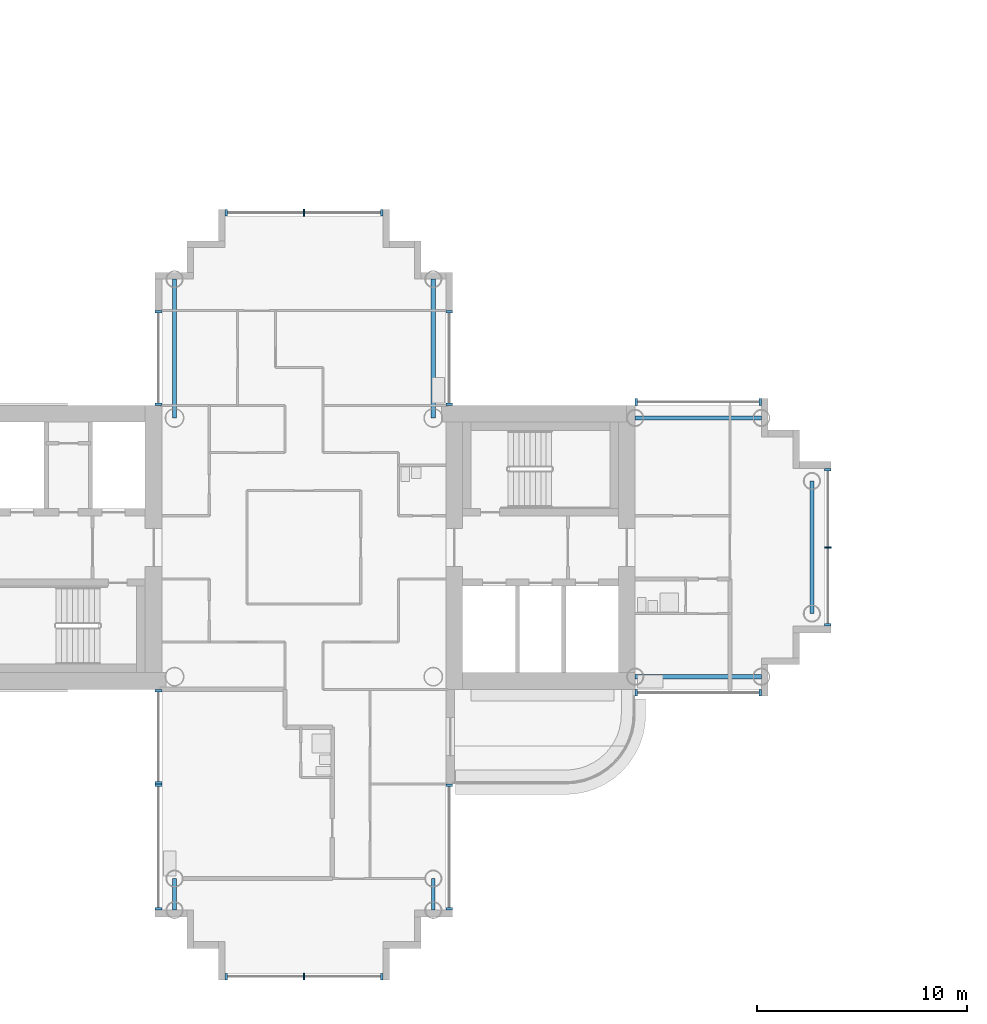
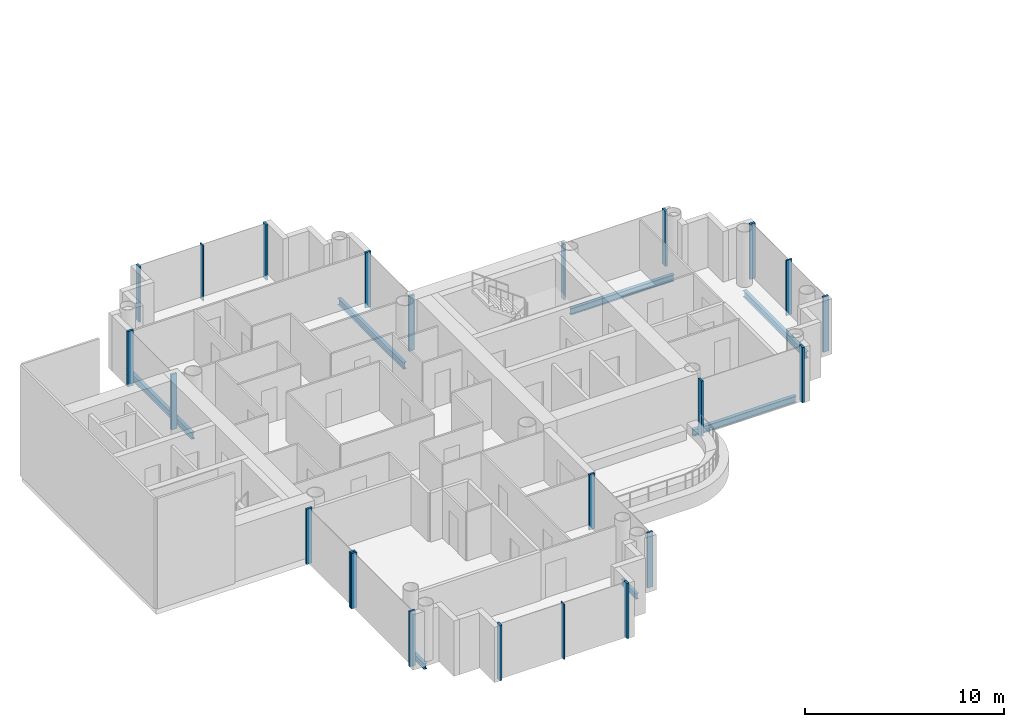
# One storey, part 3 of 20: 23 members, 7 beams, 10 elements without a shape of their own.
"""IFC4 building model written with IfcOpenShell, lengths in metres."""

from ifc_helpers import new_model, si_unit, direction, frame, origin, origin_2d, place, context, subcontext, project, spatial, rectangle, i_section, extrude, material, layer, layer_set, material_profile, profile_set, type_object, element, aggregate, save


model = new_model("IFC4")

# Units and contexts
model_context = context("Model", 3, precision=1e-05, world=origin(), true_north=direction((0.0, 1.0)))
body_context = subcontext(model_context, "Body", "Model", "MODEL_VIEW")
ifc_project = project(units=[si_unit("LENGTHUNIT", "METRE"), si_unit("AREAUNIT", "SQUARE_METRE"), si_unit("VOLUMEUNIT", "CUBIC_METRE"), si_unit("PLANEANGLEUNIT", "RADIAN"), si_unit("MASSUNIT", "GRAM", prefix="KILO")], contexts=[model_context])

# Site, building, storey
site_placement = place(None, origin())
site = spatial("IfcSite", under=ifc_project, at=site_placement, CompositionType="ELEMENT")
building_placement = place(site_placement, origin())
building = spatial("IfcBuilding", under=site, at=building_placement, Name="Ipe Terrace Towers", CompositionType="ELEMENT")
storey_placement = place(building_placement, frame((0.0, 0.0, 167.699951171875)))
storey = spatial("IfcBuildingStorey", under=building, at=storey_placement, Name="L46", CompositionType="ELEMENT", Elevation=167.699951171875)

# Beams
ifc_material_1 = material(Name="Steel S355", Category="steel")
ifc_material_profile_1 = material_profile(ifc_material_1, i_section(OverallWidth=0.175048828125, OverallDepth=0.35009765625, WebThickness=0.007080078125, FlangeThickness=0.010986328125, at=origin_2d()), Name="H-350x175x7x11")
ifc_profile_set_1 = profile_set([ifc_material_profile_1], Name="Steel S355")
beam_type_1 = type_object("IfcBeamType", Name="H04 EDGE BEAM H-350x175x7x11", PredefinedType="BEAM", material=ifc_profile_set_1)
for number, where, z_axis, x_axis, name in (
    (1, (-42.14990234375, -15.75, -0.574951171875), (0.0, -1.0, 0.0), (1.0, 0.0, 0.0), "Edge beam T1-EB-D03-D05"),
    (2, (-29.85009765625, -15.75, -0.574951171875), (0.0, -1.0, 0.0), (1.0, 0.0, 0.0), "Edge beam T1-EB-D04-D06"),
):
    element("IfcBeam", number, at=place(storey_placement, frame(where, z_axis=z_axis, x_axis=x_axis)), inside=storey, type_object=beam_type_1, Name=name, PredefinedType="BEAM", context=body_context, shape_type="SweptSolid", body=[
        extrude(i_section(OverallWidth=0.175048828125, OverallDepth=0.35009765625, WebThickness=0.007080078125, FlangeThickness=0.010986328125, at=origin_2d()), origin(), (0.0, 0.0, 1.0), 1.5),
    ])
ifc_material_2 = material(Name="Steel S355", Category="steel")
ifc_material_profile_2 = material_profile(ifc_material_2, i_section(OverallWidth=0.199951171875, OverallDepth=0.39990234375, WebThickness=0.008056640625, FlangeThickness=0.012939453125, at=origin_2d()), Name="H-400x200x8x13")
ifc_profile_set_2 = profile_set([ifc_material_profile_2], Name="Steel S355")
beam_type_2 = type_object("IfcBeamType", Name="H06 EDGE BEAM H-400x200x8x13", PredefinedType="BEAM", material=ifc_profile_set_2)
for number, where, z_axis, x_axis, name in (
    (3, (-20.25, -6.14990234375, -0.599853515625), (1.0, 0.0, 0.0), (0.0, 1.0, 0.0), "Edge beam T1-EB-A01-A03"),
    (4, (-20.25, 6.14990234375, -0.599853515625), (1.0, 0.0, 0.0), (0.0, 1.0, 0.0), "Edge beam T1-EB-A02-A04"),
):
    element("IfcBeam", number, at=place(storey_placement, frame(where, z_axis=z_axis, x_axis=x_axis)), inside=storey, type_object=beam_type_2, Name=name, PredefinedType="BEAM", context=body_context, shape_type="SweptSolid", body=[
        extrude(i_section(OverallWidth=0.199951171875, OverallDepth=0.39990234375, WebThickness=0.008056640625, FlangeThickness=0.012939453125, at=origin_2d()), origin(), (0.0, 0.0, 1.0), 6.0),
    ])
beam_placement = place(storey_placement, frame((-11.85009765625, -3.14990234375, -0.599853515625), z_axis=(0.0, 1.0, 0.0), x_axis=(-1.0, 0.0, 0.0)))
element("IfcBeam", 5, at=beam_placement, inside=storey, type_object=beam_type_2, Name="Edge beam T1-EB-A05-A06", PredefinedType="BEAM", context=body_context, shape_type="SweptSolid", body=[
    extrude(i_section(OverallWidth=0.199951171875, OverallDepth=0.39990234375, WebThickness=0.008056640625, FlangeThickness=0.012939453125, at=origin_2d()), origin(), (0.0, 0.0, 1.0), 6.2998046875),
])
for number, where, z_axis, x_axis, name in (
    (6, (-29.85009765625, 12.75, -0.599853515625), (0.0, -1.0, 0.0), (1.0, 0.0, 0.0), "Edge beam T1-EB-B01-E03"),
    (7, (-42.14990234375, 12.75, -0.599853515625), (0.0, -1.0, 0.0), (1.0, 0.0, 0.0), "Edge beam T1-EB-B02-E04"),
):
    element("IfcBeam", number, at=place(storey_placement, frame(where, z_axis=z_axis, x_axis=x_axis)), inside=storey, type_object=beam_type_2, Name=name, PredefinedType="BEAM", context=body_context, shape_type="SweptSolid", body=[
        extrude(i_section(OverallWidth=0.199951171875, OverallDepth=0.39990234375, WebThickness=0.008056640625, FlangeThickness=0.012939453125, at=origin_2d()), origin(), (0.0, 0.0, 1.0), 6.60009765625),
    ])

# Curtain wall, members
ifc_material_3 = material(Name="Aluminium alloy 6063-T6", Category="aluminium")
ifc_layer = layer(ifc_material_3, 0.320068359375)
ifc_layer_set = layer_set([ifc_layer], Name="TOWER UNITISED CURTAIN WALL")
curtain_wall_type = type_object("IfcCurtainWallType", Name="TOWER UNITISED CURTAIN WALL", PredefinedType="NOTDEFINED", material=ifc_layer_set)
curtain_wall_1_placement = place(storey_placement, origin())
curtain_wall_1 = element("IfcCurtainWall", 8, at=curtain_wall_1_placement, inside=storey, type_object=curtain_wall_type, Name="T1-CW-L46-02a curtain wall", PredefinedType="NOTDEFINED")
ifc_material_4 = material(Name="Aluminium alloy 6063-T6", Category="aluminium")
ifc_material_profile_3 = material_profile(ifc_material_4, rectangle(XDim=0.320068359375, YDim=0.1201171875, at=origin_2d()), Name="TOWER UNITISED CORNER MULLION 320 x 120")
ifc_profile_set_3 = profile_set([ifc_material_profile_3], Name="Aluminium alloy 6063-T6")
member_type_1 = type_object("IfcMemberType", Name="TOWER UNITISED CORNER MULLION 320 x 120", PredefinedType="MULLION", material=ifc_profile_set_3)
member_1_placement = place(storey_placement, frame((-42.909912109375, -6.81005859375, -0.300048828125), z_axis=(0.0, 0.0, 1.0), x_axis=(-1.0, 0.0, 0.0)))
member_1 = element("IfcMember", 9, at=member_1_placement, type_object=member_type_1, Name="T1-CW-L46-02a mullion 1", PredefinedType="MULLION", context=body_context, shape_type="SweptSolid", body=[
    extrude(rectangle(XDim=0.320068359375, YDim=0.1201171875, at=origin_2d()), origin(), (0.0, 0.0, 1.0), 3.400146484375),
])
member_2_placement = place(storey_placement, frame((-42.909912109375, -11.18994140625, -0.300048828125), z_axis=(0.0, 0.0, 1.0), x_axis=(-1.0, 0.0, 0.0)))
member_2 = element("IfcMember", 10, at=member_2_placement, type_object=member_type_1, Name="T1-CW-L46-02a mullion 2", PredefinedType="MULLION", context=body_context, shape_type="SweptSolid", body=[
    extrude(rectangle(XDim=0.320068359375, YDim=0.1201171875, at=origin_2d()), origin(), (0.0, 0.0, 1.0), 3.400146484375),
])
aggregate(curtain_wall_1, [member_1, member_2])

curtain_wall_2_placement = place(storey_placement, origin())
curtain_wall_2 = element("IfcCurtainWall", 11, at=curtain_wall_2_placement, inside=storey, type_object=curtain_wall_type, Name="T1-CW-L46-03a curtain wall", PredefinedType="NOTDEFINED")
member_3_placement = place(storey_placement, frame((-42.909912109375, -11.31005859375, -0.300048828125), z_axis=(0.0, 0.0, 1.0), x_axis=(-1.0, 0.0, 0.0)))
member_3 = element("IfcMember", 12, at=member_3_placement, type_object=member_type_1, Name="T1-CW-L46-03a mullion 1", PredefinedType="MULLION", context=body_context, shape_type="SweptSolid", body=[
    extrude(rectangle(XDim=0.320068359375, YDim=0.1201171875, at=origin_2d()), origin(), (0.0, 0.0, 1.0), 3.400146484375),
])
member_4_placement = place(storey_placement, frame((-42.909912109375, -17.18994140625, -0.300048828125), z_axis=(0.0, 0.0, 1.0), x_axis=(-1.0, 0.0, 0.0)))
member_4 = element("IfcMember", 13, at=member_4_placement, type_object=member_type_1, Name="T1-CW-L46-03a mullion 2", PredefinedType="MULLION", context=body_context, shape_type="SweptSolid", body=[
    extrude(rectangle(XDim=0.320068359375, YDim=0.1201171875, at=origin_2d()), origin(), (0.0, 0.0, 1.0), 3.400146484375),
])
aggregate(curtain_wall_2, [member_3, member_4])

curtain_wall_3_placement = place(storey_placement, origin())
curtain_wall_3 = element("IfcCurtainWall", 14, at=curtain_wall_3_placement, inside=storey, type_object=curtain_wall_type, Name="T1-CW-L46-08a curtain wall", PredefinedType="NOTDEFINED")
member_5_placement = place(storey_placement, frame((-39.68994140625, -20.409912109375, -0.300048828125), z_axis=(0.0, 0.0, 1.0), x_axis=(0.0, -1.0, 0.0)))
member_5 = element("IfcMember", 15, at=member_5_placement, type_object=member_type_1, Name="T1-CW-L46-08a mullion 1", PredefinedType="MULLION", context=body_context, shape_type="SweptSolid", body=[
    extrude(rectangle(XDim=0.320068359375, YDim=0.1201171875, at=origin_2d()), origin(), (0.0, 0.0, 1.0), 3.400146484375),
])
member_6_placement = place(storey_placement, frame((-32.31005859375, -20.409912109375, -0.300048828125), z_axis=(0.0, 0.0, 1.0), x_axis=(0.0, -1.0, 0.0)))
member_6 = element("IfcMember", 16, at=member_6_placement, type_object=member_type_1, Name="T1-CW-L46-08a mullion 3", PredefinedType="MULLION", context=body_context, shape_type="SweptSolid", body=[
    extrude(rectangle(XDim=0.320068359375, YDim=0.1201171875, at=origin_2d()), origin(), (0.0, 0.0, 1.0), 3.400146484375),
])

curtain_wall_4_placement = place(storey_placement, origin())
curtain_wall_4 = element("IfcCurtainWall", 17, at=curtain_wall_4_placement, inside=storey, type_object=curtain_wall_type, Name="T1-CW-L46-13a curtain wall", PredefinedType="NOTDEFINED")
member_7_placement = place(storey_placement, frame((-29.090087890625, -17.18994140625, -0.300048828125), z_axis=(0.0, 0.0, 1.0), x_axis=(1.0, 0.0, 0.0)))
member_7 = element("IfcMember", 18, at=member_7_placement, type_object=member_type_1, Name="T1-CW-L46-13a mullion 1", PredefinedType="MULLION", context=body_context, shape_type="SweptSolid", body=[
    extrude(rectangle(XDim=0.320068359375, YDim=0.1201171875, at=origin_2d()), origin(), (0.0, 0.0, 1.0), 3.400146484375),
])
member_8_placement = place(storey_placement, frame((-29.090087890625, -11.31005859375, -0.300048828125), z_axis=(0.0, 0.0, 1.0), x_axis=(1.0, 0.0, 0.0)))
member_8 = element("IfcMember", 19, at=member_8_placement, type_object=member_type_1, Name="T1-CW-L46-13a mullion 2", PredefinedType="MULLION", context=body_context, shape_type="SweptSolid", body=[
    extrude(rectangle(XDim=0.320068359375, YDim=0.1201171875, at=origin_2d()), origin(), (0.0, 0.0, 1.0), 3.400146484375),
])
aggregate(curtain_wall_4, [member_7, member_8])

curtain_wall_5_placement = place(storey_placement, origin())
curtain_wall_5 = element("IfcCurtainWall", 20, at=curtain_wall_5_placement, inside=storey, type_object=curtain_wall_type, Name="T1-CW-L46-16b curtain wall", PredefinedType="NOTDEFINED")
member_9_placement = place(storey_placement, frame((-20.18896484375, -6.909912109375, -0.300048828125), z_axis=(0.0, 0.0, 1.0), x_axis=(0.0, -1.0, 0.0)))
member_9 = element("IfcMember", 21, at=member_9_placement, type_object=member_type_1, Name="T1-CW-L46-16b mullion 1", PredefinedType="MULLION", context=body_context, shape_type="SweptSolid", body=[
    extrude(rectangle(XDim=0.320068359375, YDim=0.1201171875, at=origin_2d()), origin(), (0.0, 0.0, 1.0), 3.400146484375),
])
member_10_placement = place(storey_placement, frame((-14.31005859375, -6.909912109375, -0.300048828125), z_axis=(0.0, 0.0, 1.0), x_axis=(0.0, -1.0, 0.0)))
member_10 = element("IfcMember", 22, at=member_10_placement, type_object=member_type_1, Name="T1-CW-L46-16b mullion 2", PredefinedType="MULLION", context=body_context, shape_type="SweptSolid", body=[
    extrude(rectangle(XDim=0.320068359375, YDim=0.1201171875, at=origin_2d()), origin(), (0.0, 0.0, 1.0), 3.400146484375),
])
aggregate(curtain_wall_5, [member_9, member_10])

curtain_wall_6_placement = place(storey_placement, origin())
curtain_wall_6 = element("IfcCurtainWall", 23, at=curtain_wall_6_placement, inside=storey, type_object=curtain_wall_type, Name="T1-CW-L46-21a curtain wall", PredefinedType="NOTDEFINED")
member_11_placement = place(storey_placement, frame((-11.090087890625, -3.68994140625, -0.300048828125), z_axis=(0.0, 0.0, 1.0), x_axis=(1.0, 0.0, 0.0)))
member_11 = element("IfcMember", 24, at=member_11_placement, type_object=member_type_1, Name="T1-CW-L46-21a mullion 1", PredefinedType="MULLION", context=body_context, shape_type="SweptSolid", body=[
    extrude(rectangle(XDim=0.320068359375, YDim=0.1201171875, at=origin_2d()), origin(), (0.0, 0.0, 1.0), 3.400146484375),
])
member_12_placement = place(storey_placement, frame((-11.090087890625, 3.68994140625, -0.300048828125), z_axis=(0.0, 0.0, 1.0), x_axis=(1.0, 0.0, 0.0)))
member_12 = element("IfcMember", 25, at=member_12_placement, type_object=member_type_1, Name="T1-CW-L46-21a mullion 3", PredefinedType="MULLION", context=body_context, shape_type="SweptSolid", body=[
    extrude(rectangle(XDim=0.320068359375, YDim=0.1201171875, at=origin_2d()), origin(), (0.0, 0.0, 1.0), 3.400146484375),
])

curtain_wall_7_placement = place(storey_placement, origin())
curtain_wall_7 = element("IfcCurtainWall", 26, at=curtain_wall_7_placement, inside=storey, type_object=curtain_wall_type, Name="T1-CW-L46-26a curtain wall", PredefinedType="NOTDEFINED")
member_13_placement = place(storey_placement, frame((-14.31005859375, 6.909912109375, -0.300048828125), z_axis=(0.0, 0.0, 1.0), x_axis=(0.0, 1.0, 0.0)))
member_13 = element("IfcMember", 27, at=member_13_placement, type_object=member_type_1, Name="T1-CW-L46-26a mullion 1", PredefinedType="MULLION", context=body_context, shape_type="SweptSolid", body=[
    extrude(rectangle(XDim=0.320068359375, YDim=0.1201171875, at=origin_2d()), origin(), (0.0, 0.0, 1.0), 3.400146484375),
])
member_14_placement = place(storey_placement, frame((-20.18896484375, 6.909912109375, -0.300048828125), z_axis=(0.0, 0.0, 1.0), x_axis=(0.0, 1.0, 0.0)))
member_14 = element("IfcMember", 28, at=member_14_placement, type_object=member_type_1, Name="T1-CW-L46-26a mullion 2", PredefinedType="MULLION", context=body_context, shape_type="SweptSolid", body=[
    extrude(rectangle(XDim=0.320068359375, YDim=0.1201171875, at=origin_2d()), origin(), (0.0, 0.0, 1.0), 3.400146484375),
])
aggregate(curtain_wall_7, [member_13, member_14])

curtain_wall_8_placement = place(storey_placement, origin())
curtain_wall_8 = element("IfcCurtainWall", 29, at=curtain_wall_8_placement, inside=storey, type_object=curtain_wall_type, Name="T1-CW-L46-28a curtain wall", PredefinedType="NOTDEFINED")
member_15_placement = place(storey_placement, frame((-29.090087890625, 6.81005859375, -0.300048828125), z_axis=(0.0, 0.0, 1.0), x_axis=(1.0, 0.0, 0.0)))
member_15 = element("IfcMember", 30, at=member_15_placement, type_object=member_type_1, Name="T1-CW-L46-28a mullion 1", PredefinedType="MULLION", context=body_context, shape_type="SweptSolid", body=[
    extrude(rectangle(XDim=0.320068359375, YDim=0.1201171875, at=origin_2d()), origin(), (0.0, 0.0, 1.0), 3.400146484375),
])
member_16_placement = place(storey_placement, frame((-29.090087890625, 11.18994140625, -0.300048828125), z_axis=(0.0, 0.0, 1.0), x_axis=(1.0, 0.0, 0.0)))
member_16 = element("IfcMember", 31, at=member_16_placement, type_object=member_type_1, Name="T1-CW-L46-28a mullion 2", PredefinedType="MULLION", context=body_context, shape_type="SweptSolid", body=[
    extrude(rectangle(XDim=0.320068359375, YDim=0.1201171875, at=origin_2d()), origin(), (0.0, 0.0, 1.0), 3.400146484375),
])
aggregate(curtain_wall_8, [member_15, member_16])

curtain_wall_9_placement = place(storey_placement, origin())
curtain_wall_9 = element("IfcCurtainWall", 32, at=curtain_wall_9_placement, inside=storey, type_object=curtain_wall_type, Name="T1-CW-L46-34a curtain wall", PredefinedType="NOTDEFINED")
member_17_placement = place(storey_placement, frame((-32.31005859375, 15.909912109375, -0.300048828125), z_axis=(0.0, 0.0, 1.0), x_axis=(0.0, 1.0, 0.0)))
member_17 = element("IfcMember", 33, at=member_17_placement, type_object=member_type_1, Name="T1-CW-L46-34a mullion 1", PredefinedType="MULLION", context=body_context, shape_type="SweptSolid", body=[
    extrude(rectangle(XDim=0.320068359375, YDim=0.1201171875, at=origin_2d()), origin(), (0.0, 0.0, 1.0), 3.400146484375),
])
member_18_placement = place(storey_placement, frame((-39.68994140625, 15.909912109375, -0.300048828125), z_axis=(0.0, 0.0, 1.0), x_axis=(0.0, 1.0, 0.0)))
member_18 = element("IfcMember", 34, at=member_18_placement, type_object=member_type_1, Name="T1-CW-L46-34a mullion 3", PredefinedType="MULLION", context=body_context, shape_type="SweptSolid", body=[
    extrude(rectangle(XDim=0.320068359375, YDim=0.1201171875, at=origin_2d()), origin(), (0.0, 0.0, 1.0), 3.400146484375),
])

curtain_wall_10_placement = place(storey_placement, origin())
curtain_wall_10 = element("IfcCurtainWall", 35, at=curtain_wall_10_placement, inside=storey, type_object=curtain_wall_type, Name="T1-CW-L46-40a curtain wall", PredefinedType="NOTDEFINED")
member_19_placement = place(storey_placement, frame((-42.909912109375, 11.18994140625, -0.300048828125), z_axis=(0.0, 0.0, 1.0), x_axis=(-1.0, 0.0, 0.0)))
member_19 = element("IfcMember", 36, at=member_19_placement, type_object=member_type_1, Name="T1-CW-L46-40a mullion 1", PredefinedType="MULLION", context=body_context, shape_type="SweptSolid", body=[
    extrude(rectangle(XDim=0.320068359375, YDim=0.1201171875, at=origin_2d()), origin(), (0.0, 0.0, 1.0), 3.400146484375),
])
member_20_placement = place(storey_placement, frame((-42.909912109375, 6.81005859375, -0.300048828125), z_axis=(0.0, 0.0, 1.0), x_axis=(-1.0, 0.0, 0.0)))
member_20 = element("IfcMember", 37, at=member_20_placement, type_object=member_type_1, Name="T1-CW-L46-40a mullion 2", PredefinedType="MULLION", context=body_context, shape_type="SweptSolid", body=[
    extrude(rectangle(XDim=0.320068359375, YDim=0.1201171875, at=origin_2d()), origin(), (0.0, 0.0, 1.0), 3.400146484375),
])
aggregate(curtain_wall_10, [member_19, member_20])

# Member
ifc_material_5 = material(Name="Aluminium alloy 6063-T6", Category="aluminium")
ifc_material_profile_4 = material_profile(ifc_material_5, rectangle(XDim=0.320068359375, YDim=0.06494140625, at=origin_2d()), Name="TOWER UNITISED MULLION 320 x 65")
ifc_profile_set_4 = profile_set([ifc_material_profile_4], Name="Aluminium alloy 6063-T6")
member_type_2 = type_object("IfcMemberType", Name="TOWER UNITISED MULLION 320 x 65", PredefinedType="MULLION", material=ifc_profile_set_4)
member_21_placement = place(storey_placement, frame((-36.0, -20.409912109375, -0.300048828125), z_axis=(0.0, 0.0, 1.0), x_axis=(0.0, -1.0, 0.0)))
member_21 = element("IfcMember", 38, at=member_21_placement, type_object=member_type_2, Name="T1-CW-L46-08a mullion 2", PredefinedType="MULLION", context=body_context, shape_type="SweptSolid", body=[
    extrude(rectangle(XDim=0.320068359375, YDim=0.06494140625, at=origin_2d()), origin(), (0.0, 0.0, 1.0), 3.400146484375),
])

aggregate(curtain_wall_3, [member_5, member_21, member_6])

member_22_placement = place(storey_placement, frame((-11.090087890625, 0.0, -0.300048828125), z_axis=(0.0, 0.0, 1.0), x_axis=(1.0, 0.0, 0.0)))
member_22 = element("IfcMember", 39, at=member_22_placement, type_object=member_type_2, Name="T1-CW-L46-21a mullion 2", PredefinedType="MULLION", context=body_context, shape_type="SweptSolid", body=[
    extrude(rectangle(XDim=0.320068359375, YDim=0.06494140625, at=origin_2d()), origin(), (0.0, 0.0, 1.0), 3.400146484375),
])

aggregate(curtain_wall_6, [member_11, member_22, member_12])

member_23_placement = place(storey_placement, frame((-36.0, 15.909912109375, -0.300048828125), z_axis=(0.0, 0.0, 1.0), x_axis=(0.0, 1.0, 0.0)))
member_23 = element("IfcMember", 40, at=member_23_placement, type_object=member_type_2, Name="T1-CW-L46-34a mullion 2", PredefinedType="MULLION", context=body_context, shape_type="SweptSolid", body=[
    extrude(rectangle(XDim=0.320068359375, YDim=0.06494140625, at=origin_2d()), origin(), (0.0, 0.0, 1.0), 3.400146484375),
])

aggregate(curtain_wall_9, [member_17, member_23, member_18])

save(model, "model.ifc")
